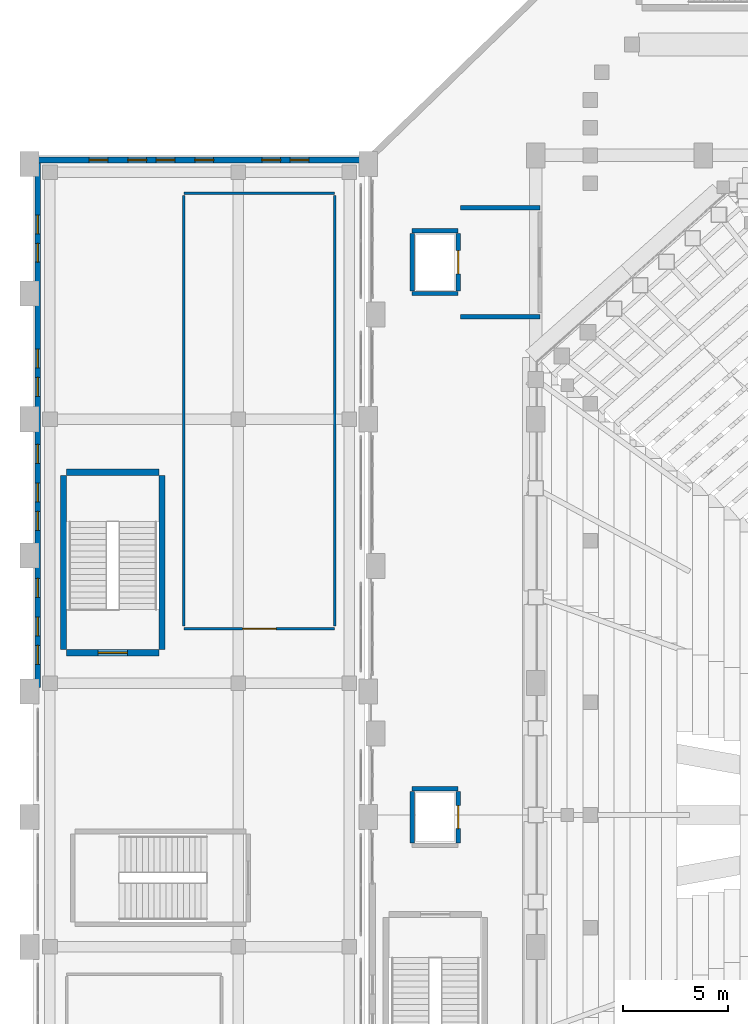
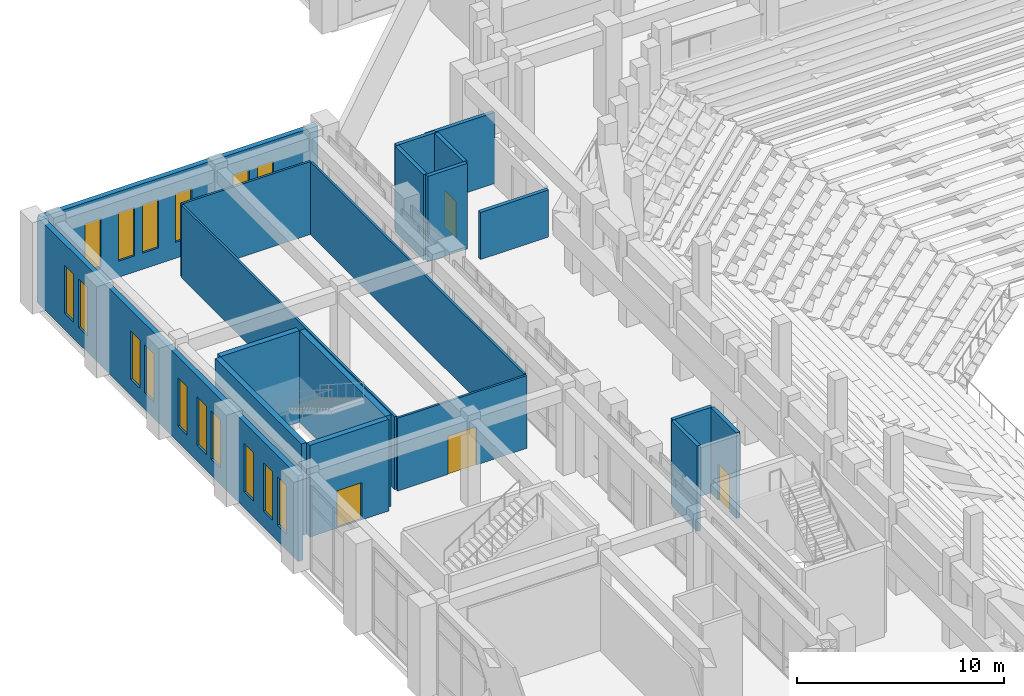
# One storey, part 129 of 159: 19 walls, 16 windows, 4 doors, 20 openings.
"""IFC4 building model written with IfcOpenShell, lengths in metres."""

from ifc_helpers import new_model, si_unit, derived_unit, direction, frame, frame_2d, origin, place, context, subcontext, project, spatial, rectangle, extrude, material, layer, layer_set, type_object, element, fill, save


model = new_model("IFC4")

# Units and contexts
model_context = context("Model", 3, precision=1e-05, world=origin(), true_north=direction((0.0, 1.0)))
body_context = subcontext(model_context, "Body", "Model", "MODEL_VIEW")
ifc_project = project(units=[si_unit("LENGTHUNIT", "METRE"), si_unit("AREAUNIT", "SQUARE_METRE"), si_unit("VOLUMEUNIT", "CUBIC_METRE"), si_unit("PLANEANGLEUNIT", "RADIAN"), si_unit("MASSUNIT", "GRAM", prefix="KILO"), derived_unit("THERMALTRANSMITTANCEUNIT", [(si_unit("MASSUNIT", "GRAM", prefix="KILO"), 1), (si_unit("TIMEUNIT", "SECOND"), -3), (si_unit("THERMODYNAMICTEMPERATUREUNIT", "KELVIN"), -1)])], contexts=[model_context])

# Site, building, storey
site_placement = place(None, origin())
site = spatial("IfcSite", under=ifc_project, at=site_placement, CompositionType="ELEMENT")
building_placement = place(site_placement, origin())
building = spatial("IfcBuilding", under=site, at=building_placement, Name="Valcora Ridge Arena", CompositionType="ELEMENT")
storey_placement = place(building_placement, frame((0.0, 0.0, 6.0)))
storey = spatial("IfcBuildingStorey", under=building, at=storey_placement, Name="L01", CompositionType="ELEMENT", Elevation=6.0)

# Wall, openings, windows
ifc_material_1 = material(Name="Bush-hammered Andean travertine on concrete backup C40/50", Category="masonry")
ifc_layer_1 = layer(ifc_material_1, 0.280029296875, Name="Bush-hammered Andean travertine on concrete backup C40/50")
ifc_layer_set_1 = layer_set([ifc_layer_1], Name="Bush-hammered Andean travertine on concrete backup C40/50")
wall_type_1 = type_object("IfcWallType", Name="TY-WALL-EW-TRV-28-50", PredefinedType="STANDARD", material=ifc_layer_set_1)
wall_1_placement = place(storey_placement, frame((0.219970703125, 70.199951171875, 0.0), z_axis=(0.0, 0.0, 1.0), x_axis=(0.0, 1.0, 0.0)))
wall_1 = element("IfcWall", 1, at=wall_1_placement, inside=storey, type_object=wall_type_1, Name="EW-TRV-28-50 WAL-EW-0081", PredefinedType="STANDARD", context=body_context, shape_type="SweptSolid", body=[
    extrude(rectangle(XDim=25.179931640625, YDim=0.280029296875, at=frame_2d((12.58984375, 0.0))), origin(), (0.0, 0.0, 1.0), 5.0400390625),
])
opening_1_placement = place(wall_1_placement, frame((1.10009765625, 0.0, 0.949951171875)))
opening_1 = element("IfcOpeningElement", 2, at=opening_1_placement, cuts=wall_1, Name="Opening W-GLAN-90X285", PredefinedType="OPENING", context=body_context, shape_type="SweptSolid", body=[
    extrude(rectangle(XDim=0.89990234375, YDim=2.85009765625, at=frame_2d((0.449951171875, 1.425048828125))), frame((0.0, 0.14990234375, 0.0), z_axis=(0.0, -1.0, 0.0), x_axis=(1.0, 0.0, 0.0)), (0.0, 0.0, 1.0), 0.300048828125),
])
opening_2_placement = place(wall_1_placement, frame((2.449951171875, 0.0, 0.949951171875)))
opening_2 = element("IfcOpeningElement", 3, at=opening_2_placement, cuts=wall_1, Name="Opening W-GLAN-90X285", PredefinedType="OPENING", context=body_context, shape_type="SweptSolid", body=[
    extrude(rectangle(XDim=0.89990234375, YDim=2.85009765625, at=frame_2d((0.449951171875, 1.425048828125))), frame((0.0, 0.14990234375, 0.0), z_axis=(0.0, -1.0, 0.0), x_axis=(1.0, 0.0, 0.0)), (0.0, 0.0, 1.0), 0.300048828125),
])
opening_3_placement = place(wall_1_placement, frame((4.300048828125, 0.0, 0.949951171875)))
opening_3 = element("IfcOpeningElement", 4, at=opening_3_placement, cuts=wall_1, Name="Opening W-GLAN-90X285", PredefinedType="OPENING", context=body_context, shape_type="SweptSolid", body=[
    extrude(rectangle(XDim=0.89990234375, YDim=2.85009765625, at=frame_2d((0.449951171875, 1.425048828125))), frame((0.0, 0.14990234375, 0.0), z_axis=(0.0, -1.0, 0.0), x_axis=(1.0, 0.0, 0.0)), (0.0, 0.0, 1.0), 0.300048828125),
])
opening_4_placement = place(wall_1_placement, frame((7.5, 0.0, 0.949951171875)))
opening_4 = element("IfcOpeningElement", 5, at=opening_4_placement, cuts=wall_1, Name="Opening W-GLAN-90X285", PredefinedType="OPENING", context=body_context, shape_type="SweptSolid", body=[
    extrude(rectangle(XDim=0.89990234375, YDim=2.85009765625, at=frame_2d((0.449951171875, 1.425048828125))), frame((0.0, 0.14990234375, 0.0), z_axis=(0.0, -1.0, 0.0), x_axis=(1.0, 0.0, 0.0)), (0.0, 0.0, 1.0), 0.300048828125),
])
opening_5_placement = place(wall_1_placement, frame((8.85009765625, 0.0, 0.949951171875)))
opening_5 = element("IfcOpeningElement", 6, at=opening_5_placement, cuts=wall_1, Name="Opening W-GLAN-90X285", PredefinedType="OPENING", context=body_context, shape_type="SweptSolid", body=[
    extrude(rectangle(XDim=0.89990234375, YDim=2.85009765625, at=frame_2d((0.449951171875, 1.425048828125))), frame((0.0, 0.14990234375, 0.0), z_axis=(0.0, -1.0, 0.0), x_axis=(1.0, 0.0, 0.0)), (0.0, 0.0, 1.0), 0.300048828125),
])
opening_6_placement = place(wall_1_placement, frame((10.699951171875, 0.0, 0.949951171875)))
opening_6 = element("IfcOpeningElement", 7, at=opening_6_placement, cuts=wall_1, Name="Opening W-GLAN-90X285", PredefinedType="OPENING", context=body_context, shape_type="SweptSolid", body=[
    extrude(rectangle(XDim=0.89990234375, YDim=2.85009765625, at=frame_2d((0.449951171875, 1.425048828125))), frame((0.0, 0.14990234375, 0.0), z_axis=(0.0, -1.0, 0.0), x_axis=(1.0, 0.0, 0.0)), (0.0, 0.0, 1.0), 0.300048828125),
])
opening_7_placement = place(wall_1_placement, frame((13.89990234375, 0.0, 0.949951171875)))
opening_7 = element("IfcOpeningElement", 8, at=opening_7_placement, cuts=wall_1, Name="Opening W-GLAN-90X285", PredefinedType="OPENING", context=body_context, shape_type="SweptSolid", body=[
    extrude(rectangle(XDim=0.89990234375, YDim=2.85009765625, at=frame_2d((0.449951171875, 1.425048828125))), frame((0.0, 0.14990234375, 0.0), z_axis=(0.0, -1.0, 0.0), x_axis=(1.0, 0.0, 0.0)), (0.0, 0.0, 1.0), 0.300048828125),
])
opening_8_placement = place(wall_1_placement, frame((15.25, 0.0, 0.949951171875)))
opening_8 = element("IfcOpeningElement", 9, at=opening_8_placement, cuts=wall_1, Name="Opening W-GLAN-90X285", PredefinedType="OPENING", context=body_context, shape_type="SweptSolid", body=[
    extrude(rectangle(XDim=0.89990234375, YDim=2.85009765625, at=frame_2d((0.449951171875, 1.425048828125))), frame((0.0, 0.14990234375, 0.0), z_axis=(0.0, -1.0, 0.0), x_axis=(1.0, 0.0, 0.0)), (0.0, 0.0, 1.0), 0.300048828125),
])
opening_9_placement = place(wall_1_placement, frame((20.300048828125, 0.0, 0.949951171875)))
opening_9 = element("IfcOpeningElement", 10, at=opening_9_placement, cuts=wall_1, Name="Opening W-GLAN-90X285", PredefinedType="OPENING", context=body_context, shape_type="SweptSolid", body=[
    extrude(rectangle(XDim=0.89990234375, YDim=2.85009765625, at=frame_2d((0.449951171875, 1.425048828125))), frame((0.0, 0.14990234375, 0.0), z_axis=(0.0, -1.0, 0.0), x_axis=(1.0, 0.0, 0.0)), (0.0, 0.0, 1.0), 0.300048828125),
])
opening_10_placement = place(wall_1_placement, frame((21.64990234375, 0.0, 0.949951171875)))
opening_10 = element("IfcOpeningElement", 11, at=opening_10_placement, cuts=wall_1, Name="Opening W-GLAN-90X285", PredefinedType="OPENING", context=body_context, shape_type="SweptSolid", body=[
    extrude(rectangle(XDim=0.89990234375, YDim=2.85009765625, at=frame_2d((0.449951171875, 1.425048828125))), frame((0.0, 0.14990234375, 0.0), z_axis=(0.0, -1.0, 0.0), x_axis=(1.0, 0.0, 0.0)), (0.0, 0.0, 1.0), 0.300048828125),
])
ifc_material_2 = material(Name="Low-iron solar-control double glazing SHGC 0.28", Category="glass")
window_type = type_object("IfcWindowType", Name="TY-WINDOW-W-GLAN-90X285", PartitioningType="DOUBLE_PANEL_VERTICAL", PredefinedType="WINDOW", material=ifc_material_2)
window_1_placement = place(opening_1_placement, origin())
window_1 = element("IfcWindow", 12, at=window_1_placement, inside=storey, type_object=window_type, Name="W-GLAN-90X285 WIN-EX-0228", OverallHeight=2.85009765625, OverallWidth=0.89990234375, PartitioningType="DOUBLE_PANEL_VERTICAL", PredefinedType="WINDOW", context=body_context, shape_type="SweptSolid", body=[
    extrude(rectangle(XDim=0.89990234375, YDim=2.85009765625, at=frame_2d((0.449951171875, 1.425048828125))), frame((0.0, 0.030029296875, 0.0), z_axis=(0.0, -1.0, 0.0), x_axis=(1.0, 0.0, 0.0)), (0.0, 0.0, 1.0), 0.06005859375),
])
fill(opening_1, window_1)
window_2_placement = place(opening_2_placement, origin())
window_2 = element("IfcWindow", 13, at=window_2_placement, inside=storey, type_object=window_type, Name="W-GLAN-90X285 WIN-EX-0229", OverallHeight=2.85009765625, OverallWidth=0.89990234375, PartitioningType="DOUBLE_PANEL_VERTICAL", PredefinedType="WINDOW", context=body_context, shape_type="SweptSolid", body=[
    extrude(rectangle(XDim=0.89990234375, YDim=2.85009765625, at=frame_2d((0.449951171875, 1.425048828125))), frame((0.0, 0.030029296875, 0.0), z_axis=(0.0, -1.0, 0.0), x_axis=(1.0, 0.0, 0.0)), (0.0, 0.0, 1.0), 0.06005859375),
])
fill(opening_2, window_2)
window_3_placement = place(opening_3_placement, origin())
window_3 = element("IfcWindow", 14, at=window_3_placement, inside=storey, type_object=window_type, Name="W-GLAN-90X285 WIN-EX-0230", OverallHeight=2.85009765625, OverallWidth=0.89990234375, PartitioningType="DOUBLE_PANEL_VERTICAL", PredefinedType="WINDOW", context=body_context, shape_type="SweptSolid", body=[
    extrude(rectangle(XDim=0.89990234375, YDim=2.85009765625, at=frame_2d((0.449951171875, 1.425048828125))), frame((0.0, 0.030029296875, 0.0), z_axis=(0.0, -1.0, 0.0), x_axis=(1.0, 0.0, 0.0)), (0.0, 0.0, 1.0), 0.06005859375),
])
fill(opening_3, window_3)
window_4_placement = place(opening_4_placement, origin())
window_4 = element("IfcWindow", 15, at=window_4_placement, inside=storey, type_object=window_type, Name="W-GLAN-90X285 WIN-EX-0231", OverallHeight=2.85009765625, OverallWidth=0.89990234375, PartitioningType="DOUBLE_PANEL_VERTICAL", PredefinedType="WINDOW", context=body_context, shape_type="SweptSolid", body=[
    extrude(rectangle(XDim=0.89990234375, YDim=2.85009765625, at=frame_2d((0.449951171875, 1.425048828125))), frame((0.0, 0.030029296875, 0.0), z_axis=(0.0, -1.0, 0.0), x_axis=(1.0, 0.0, 0.0)), (0.0, 0.0, 1.0), 0.06005859375),
])
fill(opening_4, window_4)
window_5_placement = place(opening_5_placement, origin())
window_5 = element("IfcWindow", 16, at=window_5_placement, inside=storey, type_object=window_type, Name="W-GLAN-90X285 WIN-EX-0232", OverallHeight=2.85009765625, OverallWidth=0.89990234375, PartitioningType="DOUBLE_PANEL_VERTICAL", PredefinedType="WINDOW", context=body_context, shape_type="SweptSolid", body=[
    extrude(rectangle(XDim=0.89990234375, YDim=2.85009765625, at=frame_2d((0.449951171875, 1.425048828125))), frame((0.0, 0.030029296875, 0.0), z_axis=(0.0, -1.0, 0.0), x_axis=(1.0, 0.0, 0.0)), (0.0, 0.0, 1.0), 0.06005859375),
])
fill(opening_5, window_5)
window_6_placement = place(opening_6_placement, origin())
window_6 = element("IfcWindow", 17, at=window_6_placement, inside=storey, type_object=window_type, Name="W-GLAN-90X285 WIN-EX-0233", OverallHeight=2.85009765625, OverallWidth=0.89990234375, PartitioningType="DOUBLE_PANEL_VERTICAL", PredefinedType="WINDOW", context=body_context, shape_type="SweptSolid", body=[
    extrude(rectangle(XDim=0.89990234375, YDim=2.85009765625, at=frame_2d((0.449951171875, 1.425048828125))), frame((0.0, 0.030029296875, 0.0), z_axis=(0.0, -1.0, 0.0), x_axis=(1.0, 0.0, 0.0)), (0.0, 0.0, 1.0), 0.06005859375),
])
fill(opening_6, window_6)
window_7_placement = place(opening_7_placement, origin())
window_7 = element("IfcWindow", 18, at=window_7_placement, inside=storey, type_object=window_type, Name="W-GLAN-90X285 WIN-EX-0234", OverallHeight=2.85009765625, OverallWidth=0.89990234375, PartitioningType="DOUBLE_PANEL_VERTICAL", PredefinedType="WINDOW", context=body_context, shape_type="SweptSolid", body=[
    extrude(rectangle(XDim=0.89990234375, YDim=2.85009765625, at=frame_2d((0.449951171875, 1.425048828125))), frame((0.0, 0.030029296875, 0.0), z_axis=(0.0, -1.0, 0.0), x_axis=(1.0, 0.0, 0.0)), (0.0, 0.0, 1.0), 0.06005859375),
])
fill(opening_7, window_7)
window_8_placement = place(opening_8_placement, origin())
window_8 = element("IfcWindow", 19, at=window_8_placement, inside=storey, type_object=window_type, Name="W-GLAN-90X285 WIN-EX-0235", OverallHeight=2.85009765625, OverallWidth=0.89990234375, PartitioningType="DOUBLE_PANEL_VERTICAL", PredefinedType="WINDOW", context=body_context, shape_type="SweptSolid", body=[
    extrude(rectangle(XDim=0.89990234375, YDim=2.85009765625, at=frame_2d((0.449951171875, 1.425048828125))), frame((0.0, 0.030029296875, 0.0), z_axis=(0.0, -1.0, 0.0), x_axis=(1.0, 0.0, 0.0)), (0.0, 0.0, 1.0), 0.06005859375),
])
fill(opening_8, window_8)
window_9_placement = place(opening_9_placement, origin())
window_9 = element("IfcWindow", 20, at=window_9_placement, inside=storey, type_object=window_type, Name="W-GLAN-90X285 WIN-EX-0236", OverallHeight=2.85009765625, OverallWidth=0.89990234375, PartitioningType="DOUBLE_PANEL_VERTICAL", PredefinedType="WINDOW", context=body_context, shape_type="SweptSolid", body=[
    extrude(rectangle(XDim=0.89990234375, YDim=2.85009765625, at=frame_2d((0.449951171875, 1.425048828125))), frame((0.0, 0.030029296875, 0.0), z_axis=(0.0, -1.0, 0.0), x_axis=(1.0, 0.0, 0.0)), (0.0, 0.0, 1.0), 0.06005859375),
])
fill(opening_9, window_9)
window_10_placement = place(opening_10_placement, origin())
window_10 = element("IfcWindow", 21, at=window_10_placement, inside=storey, type_object=window_type, Name="W-GLAN-90X285 WIN-EX-0237", OverallHeight=2.85009765625, OverallWidth=0.89990234375, PartitioningType="DOUBLE_PANEL_VERTICAL", PredefinedType="WINDOW", context=body_context, shape_type="SweptSolid", body=[
    extrude(rectangle(XDim=0.89990234375, YDim=2.85009765625, at=frame_2d((0.449951171875, 1.425048828125))), frame((0.0, 0.030029296875, 0.0), z_axis=(0.0, -1.0, 0.0), x_axis=(1.0, 0.0, 0.0)), (0.0, 0.0, 1.0), 0.06005859375),
])
fill(opening_10, window_10)

wall_2_placement = place(storey_placement, frame((0.219970703125, 95.3798828125, 0.0), z_axis=(0.0, 0.0, 1.0), x_axis=(1.0, 0.0, 0.0)))
wall_2 = element("IfcWall", 22, at=wall_2_placement, inside=storey, type_object=wall_type_1, Name="EW-TRV-28-50 WAL-EW-0082", PredefinedType="STANDARD", context=body_context, shape_type="SweptSolid", body=[
    extrude(rectangle(XDim=15.429931640625, YDim=0.280029296875, at=frame_2d((7.71484375, 0.0))), origin(), (0.0, 0.0, 1.0), 5.0400390625),
])
opening_11_placement = place(wall_2_placement, frame((2.449951171875, 0.0, 0.949951171875)))
opening_11 = element("IfcOpeningElement", 23, at=opening_11_placement, cuts=wall_2, Name="Opening W-GLAN-90X285", PredefinedType="OPENING", context=body_context, shape_type="SweptSolid", body=[
    extrude(rectangle(XDim=0.89990234375, YDim=2.85009765625, at=frame_2d((0.449951171875, 1.425048828125))), frame((0.0, 0.14990234375, 0.0), z_axis=(0.0, -1.0, 0.0), x_axis=(1.0, 0.0, 0.0)), (0.0, 0.0, 1.0), 0.300048828125),
])
opening_12_placement = place(wall_2_placement, frame((4.300048828125, 0.0, 0.949951171875)))
opening_12 = element("IfcOpeningElement", 24, at=opening_12_placement, cuts=wall_2, Name="Opening W-GLAN-90X285", PredefinedType="OPENING", context=body_context, shape_type="SweptSolid", body=[
    extrude(rectangle(XDim=0.89990234375, YDim=2.85009765625, at=frame_2d((0.449951171875, 1.425048828125))), frame((0.0, 0.14990234375, 0.0), z_axis=(0.0, -1.0, 0.0), x_axis=(1.0, 0.0, 0.0)), (0.0, 0.0, 1.0), 0.300048828125),
])
opening_13_placement = place(wall_2_placement, frame((5.64990234375, 0.0, 0.949951171875)))
opening_13 = element("IfcOpeningElement", 25, at=opening_13_placement, cuts=wall_2, Name="Opening W-GLAN-90X285", PredefinedType="OPENING", context=body_context, shape_type="SweptSolid", body=[
    extrude(rectangle(XDim=0.89990234375, YDim=2.85009765625, at=frame_2d((0.449951171875, 1.425048828125))), frame((0.0, 0.14990234375, 0.0), z_axis=(0.0, -1.0, 0.0), x_axis=(1.0, 0.0, 0.0)), (0.0, 0.0, 1.0), 0.300048828125),
])
opening_14_placement = place(wall_2_placement, frame((7.5, 0.0, 0.949951171875)))
opening_14 = element("IfcOpeningElement", 26, at=opening_14_placement, cuts=wall_2, Name="Opening W-GLAN-90X285", PredefinedType="OPENING", context=body_context, shape_type="SweptSolid", body=[
    extrude(rectangle(XDim=0.89990234375, YDim=2.85009765625, at=frame_2d((0.449951171875, 1.425048828125))), frame((0.0, 0.14990234375, 0.0), z_axis=(0.0, -1.0, 0.0), x_axis=(1.0, 0.0, 0.0)), (0.0, 0.0, 1.0), 0.300048828125),
])
opening_15_placement = place(wall_2_placement, frame((10.699951171875, 0.0, 0.949951171875)))
opening_15 = element("IfcOpeningElement", 27, at=opening_15_placement, cuts=wall_2, Name="Opening W-GLAN-90X285", PredefinedType="OPENING", context=body_context, shape_type="SweptSolid", body=[
    extrude(rectangle(XDim=0.89990234375, YDim=2.85009765625, at=frame_2d((0.449951171875, 1.425048828125))), frame((0.0, 0.14990234375, 0.0), z_axis=(0.0, -1.0, 0.0), x_axis=(1.0, 0.0, 0.0)), (0.0, 0.0, 1.0), 0.300048828125),
])
opening_16_placement = place(wall_2_placement, frame((12.050048828125, 0.0, 0.949951171875)))
opening_16 = element("IfcOpeningElement", 28, at=opening_16_placement, cuts=wall_2, Name="Opening W-GLAN-90X285", PredefinedType="OPENING", context=body_context, shape_type="SweptSolid", body=[
    extrude(rectangle(XDim=0.89990234375, YDim=2.85009765625, at=frame_2d((0.449951171875, 1.425048828125))), frame((0.0, 0.14990234375, 0.0), z_axis=(0.0, -1.0, 0.0), x_axis=(1.0, 0.0, 0.0)), (0.0, 0.0, 1.0), 0.300048828125),
])
window_11_placement = place(opening_11_placement, origin())
window_11 = element("IfcWindow", 29, at=window_11_placement, inside=storey, type_object=window_type, Name="W-GLAN-90X285 WIN-EX-0238", OverallHeight=2.85009765625, OverallWidth=0.89990234375, PartitioningType="DOUBLE_PANEL_VERTICAL", PredefinedType="WINDOW", context=body_context, shape_type="SweptSolid", body=[
    extrude(rectangle(XDim=0.89990234375, YDim=2.85009765625, at=frame_2d((0.449951171875, 1.425048828125))), frame((0.0, 0.030029296875, 0.0), z_axis=(0.0, -1.0, 0.0), x_axis=(1.0, 0.0, 0.0)), (0.0, 0.0, 1.0), 0.06005859375),
])
fill(opening_11, window_11)
window_12_placement = place(opening_12_placement, origin())
window_12 = element("IfcWindow", 30, at=window_12_placement, inside=storey, type_object=window_type, Name="W-GLAN-90X285 WIN-EX-0239", OverallHeight=2.85009765625, OverallWidth=0.89990234375, PartitioningType="DOUBLE_PANEL_VERTICAL", PredefinedType="WINDOW", context=body_context, shape_type="SweptSolid", body=[
    extrude(rectangle(XDim=0.89990234375, YDim=2.85009765625, at=frame_2d((0.449951171875, 1.425048828125))), frame((0.0, 0.030029296875, 0.0), z_axis=(0.0, -1.0, 0.0), x_axis=(1.0, 0.0, 0.0)), (0.0, 0.0, 1.0), 0.06005859375),
])
fill(opening_12, window_12)
window_13_placement = place(opening_13_placement, origin())
window_13 = element("IfcWindow", 31, at=window_13_placement, inside=storey, type_object=window_type, Name="W-GLAN-90X285 WIN-EX-0240", OverallHeight=2.85009765625, OverallWidth=0.89990234375, PartitioningType="DOUBLE_PANEL_VERTICAL", PredefinedType="WINDOW", context=body_context, shape_type="SweptSolid", body=[
    extrude(rectangle(XDim=0.89990234375, YDim=2.85009765625, at=frame_2d((0.449951171875, 1.425048828125))), frame((0.0, 0.030029296875, 0.0), z_axis=(0.0, -1.0, 0.0), x_axis=(1.0, 0.0, 0.0)), (0.0, 0.0, 1.0), 0.06005859375),
])
fill(opening_13, window_13)
window_14_placement = place(opening_14_placement, origin())
window_14 = element("IfcWindow", 32, at=window_14_placement, inside=storey, type_object=window_type, Name="W-GLAN-90X285 WIN-EX-0241", OverallHeight=2.85009765625, OverallWidth=0.89990234375, PartitioningType="DOUBLE_PANEL_VERTICAL", PredefinedType="WINDOW", context=body_context, shape_type="SweptSolid", body=[
    extrude(rectangle(XDim=0.89990234375, YDim=2.85009765625, at=frame_2d((0.449951171875, 1.425048828125))), frame((0.0, 0.030029296875, 0.0), z_axis=(0.0, -1.0, 0.0), x_axis=(1.0, 0.0, 0.0)), (0.0, 0.0, 1.0), 0.06005859375),
])
fill(opening_14, window_14)
window_15_placement = place(opening_15_placement, origin())
window_15 = element("IfcWindow", 33, at=window_15_placement, inside=storey, type_object=window_type, Name="W-GLAN-90X285 WIN-EX-0242", OverallHeight=2.85009765625, OverallWidth=0.89990234375, PartitioningType="DOUBLE_PANEL_VERTICAL", PredefinedType="WINDOW", context=body_context, shape_type="SweptSolid", body=[
    extrude(rectangle(XDim=0.89990234375, YDim=2.85009765625, at=frame_2d((0.449951171875, 1.425048828125))), frame((0.0, 0.030029296875, 0.0), z_axis=(0.0, -1.0, 0.0), x_axis=(1.0, 0.0, 0.0)), (0.0, 0.0, 1.0), 0.06005859375),
])
fill(opening_15, window_15)
window_16_placement = place(opening_16_placement, origin())
window_16 = element("IfcWindow", 34, at=window_16_placement, inside=storey, type_object=window_type, Name="W-GLAN-90X285 WIN-EX-0243", OverallHeight=2.85009765625, OverallWidth=0.89990234375, PartitioningType="DOUBLE_PANEL_VERTICAL", PredefinedType="WINDOW", context=body_context, shape_type="SweptSolid", body=[
    extrude(rectangle(XDim=0.89990234375, YDim=2.85009765625, at=frame_2d((0.449951171875, 1.425048828125))), frame((0.0, 0.030029296875, 0.0), z_axis=(0.0, -1.0, 0.0), x_axis=(1.0, 0.0, 0.0)), (0.0, 0.0, 1.0), 0.06005859375),
])
fill(opening_16, window_16)

# Walls
ifc_material_3 = material(Name="Fire-resisting reinforced concrete enclosure C40/50 200 mm", Category="concrete")
ifc_layer_2 = layer(ifc_material_3, 0.199951171875, Name="Fire-resisting reinforced concrete enclosure C40/50 200 mm")
ifc_layer_set_2 = layer_set([ifc_layer_2], Name="Fire-resisting reinforced concrete enclosure C40/50 200 mm")
wall_type_2 = type_object("IfcWallType", Name="TY-WALL-IW-FIRE-200", PredefinedType="STANDARD", material=ifc_layer_set_2)
wall_3_placement = place(storey_placement, frame((20.39990234375, 87.89990234375, 0.0), z_axis=(0.0, 0.0, 1.0), x_axis=(1.0, 0.0, 0.0)))
element("IfcWall", 35, at=wall_3_placement, inside=storey, type_object=wall_type_2, Name="IW-FIRE-200 WAL-IN-0028", PredefinedType="STANDARD", context=body_context, shape_type="SweptSolid", body=[
    extrude(rectangle(XDim=3.800048828125, YDim=0.199951171875, at=frame_2d((1.89990234375, 0.0))), origin(), (0.0, 0.0, 1.0), 2.77490234375),
])
wall_4_placement = place(storey_placement, frame((20.39990234375, 93.10009765625, 0.0), z_axis=(0.0, 0.0, 1.0), x_axis=(1.0, 0.0, 0.0)))
element("IfcWall", 36, at=wall_4_placement, inside=storey, type_object=wall_type_2, Name="IW-FIRE-200 WAL-IN-0029", PredefinedType="STANDARD", context=body_context, shape_type="SweptSolid", body=[
    extrude(rectangle(XDim=3.800048828125, YDim=0.199951171875, at=frame_2d((1.89990234375, 0.0))), origin(), (0.0, 0.0, 1.0), 4.18994140625),
])

# Wall, opening, door
ifc_material_4 = material(Name="Acoustic metal-stud gypsum partition 120 mm")
ifc_layer_3 = layer(ifc_material_4, 0.1201171875, Name="Acoustic metal-stud gypsum partition 120 mm")
ifc_layer_set_3 = layer_set([ifc_layer_3], Name="Acoustic metal-stud gypsum partition 120 mm")
wall_type_3 = type_object("IfcWallType", Name="TY-WALL-IW-PART-120", PredefinedType="PARTITIONING", material=ifc_layer_set_3)
wall_5_placement = place(storey_placement, frame((7.199951171875, 73.0, 0.0), z_axis=(0.0, 0.0, 1.0), x_axis=(1.0, 0.0, 0.0)))
wall_5 = element("IfcWall", 37, at=wall_5_placement, inside=storey, type_object=wall_type_3, Name="IW-PART-120 WAL-IN-0329", PredefinedType="PARTITIONING", context=body_context, shape_type="SweptSolid", body=[
    extrude(rectangle(XDim=7.199951171875, YDim=0.1201171875, at=frame_2d((3.60009765625, 0.0))), origin(), (0.0, 0.0, 1.0), 4.2900390625),
])
opening_17_placement = place(wall_5_placement, frame((2.800048828125, 0.0, 0.0)))
opening_17 = element("IfcOpeningElement", 38, at=opening_17_placement, cuts=wall_5, Name="Opening D-PUB-1600", PredefinedType="OPENING", context=body_context, shape_type="SweptSolid", body=[
    extrude(rectangle(XDim=1.60009765625, YDim=2.25, at=frame_2d((0.800048828125, 1.125))), frame((0.0, 0.070068359375, 0.0), z_axis=(0.0, -1.0, 0.0), x_axis=(1.0, 0.0, 0.0)), (0.0, 0.0, 1.0), 0.14013671875),
])
ifc_material_5 = material(Name="Solid-core acoustic timber veneer door leaf", Category="wood")
door_type_1 = type_object("IfcDoorType", Name="TY-DOOR-D-PUB-1600", OperationType="NOTDEFINED", PredefinedType="DOOR", material=ifc_material_5)
door_1_placement = place(opening_17_placement, origin())
door_1 = element("IfcDoor", 39, at=door_1_placement, inside=storey, type_object=door_type_1, Name="D-PUB-1600 DOR-IN-0087", OperationType="DOUBLE_DOOR_SINGLE_SWING", OverallHeight=2.25, OverallWidth=1.60009765625, PredefinedType="DOOR", context=body_context, shape_type="SweptSolid", body=[
    extrude(rectangle(XDim=1.60009765625, YDim=2.25, at=frame_2d((0.800048828125, 1.125))), frame((0.0, 0.02490234375, 0.0), z_axis=(0.0, -1.0, 0.0), x_axis=(1.0, 0.0, 0.0)), (0.0, 0.0, 1.0), 0.050048828125),
])
fill(opening_17, door_1)

# Walls
wall_6_placement = place(storey_placement, frame((7.199951171875, 93.800048828125, 0.0), z_axis=(0.0, 0.0, 1.0), x_axis=(1.0, 0.0, 0.0)))
element("IfcWall", 40, at=wall_6_placement, inside=storey, type_object=wall_type_3, Name="IW-PART-120 WAL-IN-0330", PredefinedType="PARTITIONING", context=body_context, shape_type="SweptSolid", body=[
    extrude(rectangle(XDim=7.199951171875, YDim=0.1201171875, at=frame_2d((3.60009765625, 0.0))), origin(), (0.0, 0.0, 1.0), 4.2900390625),
])
for number, where, z_axis, x_axis, name in (
    (41, (7.199951171875, 73.1201171875, 0.0), (0.0, 0.0, 1.0), (0.0, 1.0, 0.0), "IW-PART-120 WAL-IN-0331"),
    (42, (14.39990234375, 73.1201171875, 0.0), (0.0, 0.0, 1.0), (0.0, 1.0, 0.0), "IW-PART-120 WAL-IN-0332"),
):
    element("IfcWall", number, at=place(storey_placement, frame(where, z_axis=z_axis, x_axis=x_axis)), inside=storey, type_object=wall_type_3, Name=name, PredefinedType="PARTITIONING", context=body_context, shape_type="SweptSolid", body=[
        extrude(rectangle(XDim=20.559814453125, YDim=0.1201171875, at=frame_2d((10.27978515625, 0.0))), origin(), (0.0, 0.0, 1.0), 4.2900390625),
    ])
ifc_material_6 = material(Name="Concrete C40/50", Category="concrete")
ifc_layer_4 = layer(ifc_material_6, 0.199951171875, Name="Concrete C40/50")
ifc_layer_set_4 = layer_set([ifc_layer_4], Name="Concrete C40/50")
wall_type_4 = type_object("IfcWallType", Name="TY-WALL-IW-SHF-200", PredefinedType="STANDARD", material=ifc_layer_set_4)
for number, where, z_axis, x_axis, name in (
    (43, (18.10009765625, 89.0, 0.0), (0.0, 0.0, 1.0), (1.0, 0.0, 0.0), "IW-SHF-200 WAL-SH-0037"),
    (44, (18.10009765625, 92.0, 0.0), (0.0, 0.0, 1.0), (1.0, 0.0, 0.0), "IW-SHF-200 WAL-SH-0038"),
):
    element("IfcWall", number, at=place(storey_placement, frame(where, z_axis=z_axis, x_axis=x_axis)), inside=storey, type_object=wall_type_4, Name=name, PredefinedType="STANDARD", context=body_context, shape_type="SweptSolid", body=[
        extrude(rectangle(XDim=2.199951171875, YDim=0.199951171875, at=frame_2d((1.10009765625, 0.0))), origin(), (0.0, 0.0, 1.0), 5.0400390625),
    ])
wall_7_placement = place(storey_placement, frame((18.10009765625, 89.1201171875, 0.0), z_axis=(0.0, 0.0, 1.0), x_axis=(0.0, 1.0, 0.0)))
element("IfcWall", 45, at=wall_7_placement, inside=storey, type_object=wall_type_4, Name="IW-SHF-200 WAL-SH-0039", PredefinedType="STANDARD", context=body_context, shape_type="SweptSolid", body=[
    extrude(rectangle(XDim=2.759765625, YDim=0.199951171875, at=frame_2d((1.3798828125, 0.0))), origin(), (0.0, 0.0, 1.0), 5.0400390625),
])

# Wall, opening, door
wall_8_placement = place(storey_placement, frame((20.300048828125, 89.1201171875, 0.0), z_axis=(0.0, 0.0, 1.0), x_axis=(0.0, 1.0, 0.0)))
wall_8 = element("IfcWall", 46, at=wall_8_placement, inside=storey, type_object=wall_type_4, Name="IW-SHF-200 WAL-SH-0040", PredefinedType="STANDARD", context=body_context, shape_type="SweptSolid", body=[
    extrude(rectangle(XDim=2.759765625, YDim=0.199951171875, at=frame_2d((1.3798828125, 0.0))), origin(), (0.0, 0.0, 1.0), 5.0400390625),
])
opening_18_placement = place(wall_8_placement, frame((0.830078125, 0.0, 0.0)))
opening_18 = element("IfcOpeningElement", 47, at=opening_18_placement, cuts=wall_8, Name="Opening LD-FF", PredefinedType="OPENING", context=body_context, shape_type="SweptSolid", body=[
    extrude(rectangle(XDim=1.10009765625, YDim=2.14990234375, at=frame_2d((0.550048828125, 1.074951171875))), frame((0.0, 0.10986328125, 0.0), z_axis=(0.0, -1.0, 0.0), x_axis=(1.0, 0.0, 0.0)), (0.0, 0.0, 1.0), 0.219970703125),
])
ifc_material_7 = material(Name="Insulated fire-rated hollow metal steel", Category="steel")
door_type_2 = type_object("IfcDoorType", Name="TY-DOOR-LD-FF", OperationType="NOTDEFINED", PredefinedType="DOOR", material=ifc_material_7)
door_2_placement = place(opening_18_placement, origin())
door_2 = element("IfcDoor", 48, at=door_2_placement, inside=storey, type_object=door_type_2, Name="FFL2 Landing Door L01", OperationType="SLIDING_TO_LEFT", OverallHeight=2.14990234375, OverallWidth=1.10009765625, PredefinedType="DOOR", context=body_context, shape_type="SweptSolid", body=[
    extrude(rectangle(XDim=1.10009765625, YDim=2.14990234375, at=frame_2d((0.550048828125, 1.074951171875))), frame((0.0, 0.02490234375, 0.0), z_axis=(0.0, -1.0, 0.0), x_axis=(1.0, 0.0, 0.0)), (0.0, 0.0, 1.0), 0.050048828125),
])
fill(opening_18, door_2)

# Walls
wall_9_placement = place(storey_placement, frame((18.10009765625, 65.35009765625, 0.0), z_axis=(0.0, 0.0, 1.0), x_axis=(1.0, 0.0, 0.0)))
element("IfcWall", 49, at=wall_9_placement, inside=storey, type_object=wall_type_4, Name="IW-SHF-200 WAL-SH-0214", PredefinedType="STANDARD", context=body_context, shape_type="SweptSolid", body=[
    extrude(rectangle(XDim=2.199951171875, YDim=0.199951171875, at=frame_2d((1.10009765625, 0.0))), origin(), (0.0, 0.0, 1.0), 5.0400390625),
])
wall_10_placement = place(storey_placement, frame((18.10009765625, 62.77001953125, 0.0), z_axis=(0.0, 0.0, 1.0), x_axis=(0.0, 1.0, 0.0)))
element("IfcWall", 50, at=wall_10_placement, inside=storey, type_object=wall_type_4, Name="IW-SHF-200 WAL-SH-0215", PredefinedType="STANDARD", context=body_context, shape_type="SweptSolid", body=[
    extrude(rectangle(XDim=2.4599609375, YDim=0.199951171875, at=frame_2d((1.22998046875, 0.0))), origin(), (0.0, 0.0, 1.0), 5.0400390625),
])

# Wall, opening, door
wall_11_placement = place(storey_placement, frame((20.300048828125, 62.77001953125, 0.0), z_axis=(0.0, 0.0, 1.0), x_axis=(0.0, 1.0, 0.0)))
wall_11 = element("IfcWall", 51, at=wall_11_placement, inside=storey, type_object=wall_type_4, Name="IW-SHF-200 WAL-SH-0216", PredefinedType="STANDARD", context=body_context, shape_type="SweptSolid", body=[
    extrude(rectangle(XDim=2.4599609375, YDim=0.199951171875, at=frame_2d((1.22998046875, 0.0))), origin(), (0.0, 0.0, 1.0), 5.0400390625),
])
opening_19_placement = place(wall_11_placement, frame((0.679931640625, 0.0, 0.0)))
opening_19 = element("IfcOpeningElement", 52, at=opening_19_placement, cuts=wall_11, Name="Opening LD-PAX", PredefinedType="OPENING", context=body_context, shape_type="SweptSolid", body=[
    extrude(rectangle(XDim=1.10009765625, YDim=2.14990234375, at=frame_2d((0.550048828125, 1.074951171875))), frame((0.0, 0.10986328125, 0.0), z_axis=(0.0, -1.0, 0.0), x_axis=(1.0, 0.0, 0.0)), (0.0, 0.0, 1.0), 0.219970703125),
])
door_type_3 = type_object("IfcDoorType", Name="TY-DOOR-LD-PAX", OperationType="NOTDEFINED", PredefinedType="DOOR", material=ifc_material_7)
door_3_placement = place(opening_19_placement, origin())
door_3 = element("IfcDoor", 53, at=door_3_placement, inside=storey, type_object=door_type_3, Name="CL3 Landing Door L01", OperationType="SLIDING_TO_LEFT", OverallHeight=2.14990234375, OverallWidth=1.10009765625, PredefinedType="DOOR", context=body_context, shape_type="SweptSolid", body=[
    extrude(rectangle(XDim=1.10009765625, YDim=2.14990234375, at=frame_2d((0.550048828125, 1.074951171875))), frame((0.0, 0.02490234375, 0.0), z_axis=(0.0, -1.0, 0.0), x_axis=(1.0, 0.0, 0.0)), (0.0, 0.0, 1.0), 0.050048828125),
])
fill(opening_19, door_3)

# Walls
ifc_material_8 = material(Name="Concrete C45/55", Category="concrete")
ifc_layer_5 = layer(ifc_material_8, 0.300048828125, Name="Concrete C45/55")
ifc_layer_set_5 = layer_set([ifc_layer_5], Name="Concrete C45/55")
wall_type_5 = type_object("IfcWallType", Name="TY-WALL-SW-C300-L", PredefinedType="SHEAR", material=ifc_layer_set_5)
for number, where, z_axis, x_axis, name in (
    (54, (1.449951171875, 72.0, 0.0), (0.0, 0.0, 1.0), (0.0, 1.0, 0.0), "SW-C300-L WAL-CR-0171"),
    (55, (6.14990234375, 72.0, 0.0), (0.0, 0.0, 1.0), (0.0, 1.0, 0.0), "SW-C300-L WAL-CR-0172"),
):
    element("IfcWall", number, at=place(storey_placement, frame(where, z_axis=z_axis, x_axis=x_axis)), inside=storey, type_object=wall_type_5, Name=name, PredefinedType="SHEAR", context=body_context, shape_type="SweptSolid", body=[
        extrude(rectangle(XDim=8.320068359375, YDim=0.300048828125, at=frame_2d((4.16015625, 0.0))), origin(), (0.0, 0.0, 1.0), 5.39990234375),
    ])

# Wall, opening, door
ifc_layer_6 = layer(ifc_material_8, 0.300048828125, Name="Concrete C45/55")
ifc_layer_set_6 = layer_set([ifc_layer_6], Name="Concrete C45/55")
wall_type_6 = type_object("IfcWallType", Name="TY-WALL-SW-C300-S", PredefinedType="SHEAR", material=ifc_layer_set_6)
wall_12_placement = place(storey_placement, frame((1.60009765625, 71.85009765625, 0.0), z_axis=(0.0, 0.0, 1.0), x_axis=(1.0, 0.0, 0.0)))
wall_12 = element("IfcWall", 56, at=wall_12_placement, inside=storey, type_object=wall_type_6, Name="SW-C300-S WAL-CR-0169", PredefinedType="SHEAR", context=body_context, shape_type="SweptSolid", body=[
    extrude(rectangle(XDim=4.39990234375, YDim=0.300048828125, at=frame_2d((2.199951171875, 0.0))), origin(), (0.0, 0.0, 1.0), 5.39990234375),
])
opening_20_placement = place(wall_12_placement, frame((1.5, 0.0, 0.0)))
opening_20 = element("IfcOpeningElement", 57, at=opening_20_placement, cuts=wall_12, Name="Opening FD-01", PredefinedType="OPENING", context=body_context, shape_type="SweptSolid", body=[
    extrude(rectangle(XDim=1.39990234375, YDim=2.199951171875, at=frame_2d((0.699951171875, 1.10009765625))), frame((0.0, 0.159912109375, 0.0), z_axis=(0.0, -1.0, 0.0), x_axis=(1.0, 0.0, 0.0)), (0.0, 0.0, 1.0), 0.320068359375),
])
ifc_material_9 = material(Name="Insulated fire-rated steel door leaf", Category="steel")
door_type_4 = type_object("IfcDoorType", Name="TY-DOOR-FD-01", OperationType="NOTDEFINED", PredefinedType="DOOR", material=ifc_material_9)
door_4_placement = place(opening_20_placement, origin())
door_4 = element("IfcDoor", 58, at=door_4_placement, inside=storey, type_object=door_type_4, Name="FD-01 DOR-ST-0043", OperationType="DOUBLE_DOOR_SINGLE_SWING", OverallHeight=2.199951171875, OverallWidth=1.39990234375, PredefinedType="DOOR", context=body_context, shape_type="SweptSolid", body=[
    extrude(rectangle(XDim=1.39990234375, YDim=2.199951171875, at=frame_2d((0.699951171875, 1.10009765625))), frame((0.0, 0.02490234375, 0.0), z_axis=(0.0, -1.0, 0.0), x_axis=(1.0, 0.0, 0.0)), (0.0, 0.0, 1.0), 0.050048828125),
])
fill(opening_20, door_4)

# Wall
wall_13_placement = place(storey_placement, frame((1.60009765625, 80.469970703125, 0.0), z_axis=(0.0, 0.0, 1.0), x_axis=(1.0, 0.0, 0.0)))
element("IfcWall", 59, at=wall_13_placement, inside=storey, type_object=wall_type_6, Name="SW-C300-S WAL-CR-0170", PredefinedType="SHEAR", context=body_context, shape_type="SweptSolid", body=[
    extrude(rectangle(XDim=4.39990234375, YDim=0.300048828125, at=frame_2d((2.199951171875, 0.0))), origin(), (0.0, 0.0, 1.0), 5.39990234375),
])

save(model, "model.ifc")
